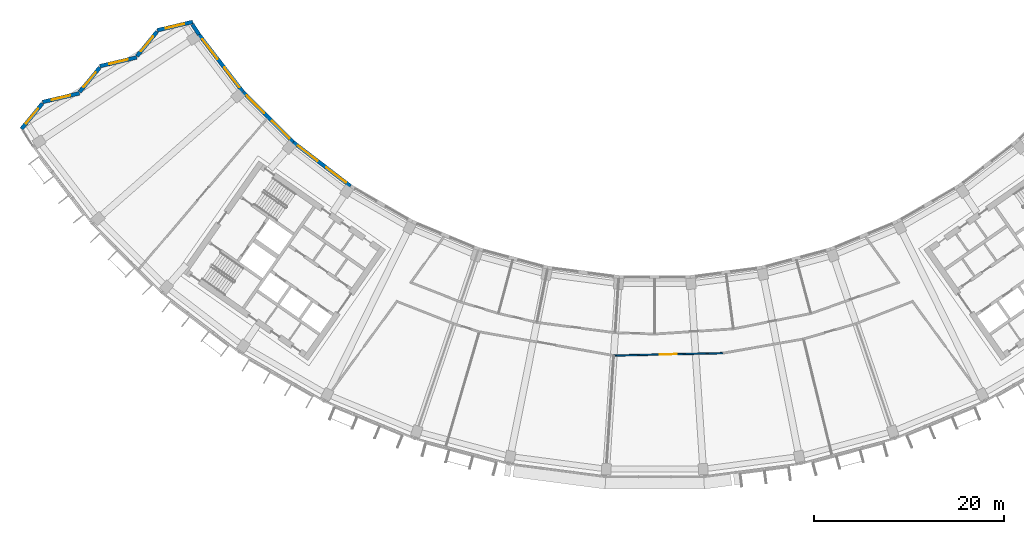
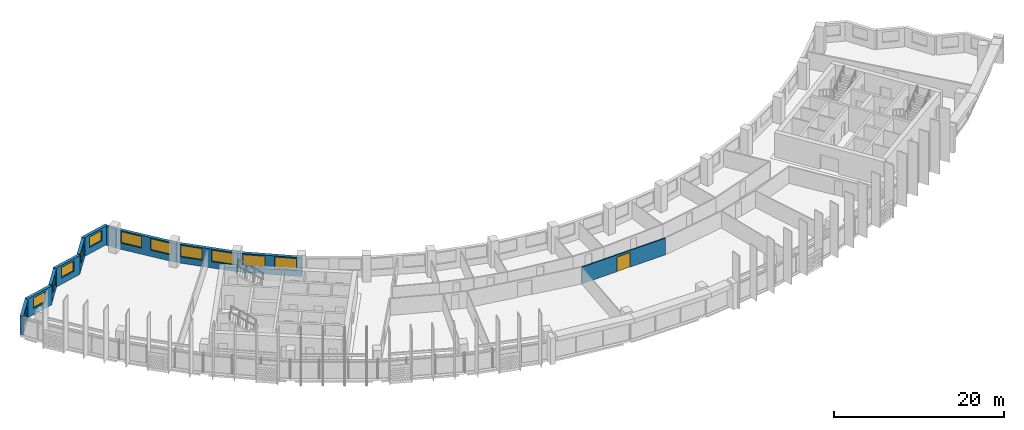
# One storey, part 5 of 28: 12 windows, 11 walls, 1 door, 13 openings.
"""IFC4 building model written with IfcOpenShell, lengths in metres."""

from ifc_helpers import new_model, si_unit, direction, frame, frame_2d, origin, place, context, subcontext, project, spatial, rectangle, extrude, material, layer, layer_set, type_object, element, fill, save


model = new_model("IFC4")

# Units and contexts
model_context = context("Model", 3, precision=1e-05, world=origin(), true_north=direction((0.0, 1.0)))
body_context = subcontext(model_context, "Body", "Model", "MODEL_VIEW")
ifc_project = project(units=[si_unit("LENGTHUNIT", "METRE"), si_unit("AREAUNIT", "SQUARE_METRE"), si_unit("VOLUMEUNIT", "CUBIC_METRE"), si_unit("PLANEANGLEUNIT", "RADIAN"), si_unit("MASSUNIT", "GRAM", prefix="KILO")], contexts=[model_context])

# Site, building, storey
site_placement = place(None, origin())
site = spatial("IfcSite", under=ifc_project, at=site_placement, CompositionType="ELEMENT")
building_placement = place(site_placement, origin())
building = spatial("IfcBuilding", under=site, at=building_placement, Name="Qamariyya Broadcast Tower", CompositionType="ELEMENT")
storey_placement = place(building_placement, frame((0.0, 0.0, 218.89990234375)))
storey = spatial("IfcBuildingStorey", under=building, at=storey_placement, Name="L52", CompositionType="ELEMENT", Elevation=218.89990234375)

# Wall, opening, door
ifc_material_1 = material(Name="Gypsum board partition")
ifc_layer_1 = layer(ifc_material_1, 0.14990234375)
ifc_layer_set_1 = layer_set([ifc_layer_1], Name="Corridor partition 150 EI 60")
wall_type_1 = type_object("IfcWallType", Name="Corridor partition 150 EI 60", PredefinedType="PARTITIONING", material=ifc_layer_set_1)
wall_1_placement = place(storey_placement, frame((7.15283203125, -65.4091796875, 0.0), z_axis=(0.0, 0.0, 1.0), x_axis=(-0.99976198393, -0.021816862473, 0.0)))
wall_1 = element("IfcWall", 1, at=wall_1_placement, inside=storey, type_object=wall_type_1, Name="Partition L52-017", PredefinedType="PARTITIONING", context=body_context, shape_type="SweptSolid", body=[
    extrude(rectangle(XDim=11.458984375, YDim=0.14990234375, at=frame_2d((5.7294921875, 0.0))), origin(), (0.0, 0.0, 1.0), 2.400146484375),
])
opening_1_placement = place(wall_1_placement, frame((4.82958984375, 0.0, 0.0)))
opening_1 = element("IfcOpeningElement", 2, at=opening_1_placement, cuts=wall_1, Name="Opening L52-D04", PredefinedType="OPENING", context=body_context, shape_type="SweptSolid", body=[
    extrude(rectangle(XDim=1.800048828125, YDim=2.10009765625, at=frame_2d((0.89990234375, 1.050048828125))), frame((0.0, 0.0849609375, 0.0), z_axis=(0.0, -1.0, 0.0), x_axis=(1.0, 0.0, 0.0)), (0.0, 0.0, 1.0), 0.169921875),
])
ifc_material_2 = material(Name="Timber fire door leaf", Category="wood")
door_type = type_object("IfcDoorType", Name="Double fire door 1800 x 2100 FD60", OperationType="NOTDEFINED", PredefinedType="DOOR", material=ifc_material_2)
door_placement = place(opening_1_placement, origin())
door = element("IfcDoor", 3, at=door_placement, inside=storey, type_object=door_type, Name="Door L52-D04", OperationType="DOUBLE_DOOR_SINGLE_SWING", OverallHeight=2.10009765625, OverallWidth=1.800048828125, PredefinedType="DOOR", context=body_context, shape_type="SweptSolid", body=[
    extrude(rectangle(XDim=1.800048828125, YDim=2.10009765625, at=frame_2d((0.89990234375, 1.050048828125))), frame((0.0, 0.02490234375, 0.0), z_axis=(0.0, -1.0, 0.0), x_axis=(1.0, 0.0, 0.0)), (0.0, 0.0, 1.0), 0.050048828125),
])
fill(opening_1, door)

# Wall, opening, window
ifc_material_3 = material(Name="Terracotta", Category="masonry")
ifc_layer_2 = layer(ifc_material_3, 0.39990234375)
ifc_layer_set_2 = layer_set([ifc_layer_2], Name="Terracotta clad wall 400")
wall_type_2 = type_object("IfcWallType", Name="Terracotta clad wall 400", PredefinedType="SOLIDWALL", material=ifc_layer_set_2)
wall_2_placement = place(storey_placement, frame((-48.518310546875, -30.612060546875, 0.0), z_axis=(0.0, 0.0, 1.0), x_axis=(-0.973147829995, -0.230181017843, 0.0)))
wall_2 = element("IfcWall", 4, at=wall_2_placement, inside=storey, type_object=wall_type_2, Name="e-wl-L52-capW0", PredefinedType="SOLIDWALL", context=body_context, shape_type="SweptSolid", body=[
    extrude(rectangle(XDim=3.83740234375, YDim=0.39990234375, at=frame_2d((1.918701171875, 0.0))), origin(), (0.0, 0.0, 1.0), 2.7001953125),
])
opening_2_placement = place(wall_2_placement, frame((0.918701171875, 0.0, 0.89990234375)))
opening_2 = element("IfcOpeningElement", 5, at=opening_2_placement, cuts=wall_2, Name="Opening W4", PredefinedType="OPENING", context=body_context, shape_type="SweptSolid", body=[
    extrude(rectangle(XDim=2.0, YDim=1.5, at=frame_2d((1.0, 0.75))), frame((0.0, 0.2099609375, 0.0), z_axis=(0.0, -1.0, 0.0), x_axis=(1.0, 0.0, 0.0)), (0.0, 0.0, 1.0), 0.419921875),
])
ifc_material_4 = material(Name="Clear low-e double glazed unit in aluminium frame", Category="aluminium")
window_type_1 = type_object("IfcWindowType", Name="Horn bay window 2000 x 1500", PartitioningType="SINGLE_PANEL", PredefinedType="WINDOW", material=ifc_material_4)
window_1_placement = place(opening_2_placement, origin())
window_1 = element("IfcWindow", 6, at=window_1_placement, inside=storey, type_object=window_type_1, Name="e-w-L52-capW0", OverallHeight=1.5, OverallWidth=2.0, PartitioningType="SINGLE_PANEL", PredefinedType="WINDOW", context=body_context, shape_type="SweptSolid", body=[
    extrude(rectangle(XDim=2.0, YDim=1.5, at=frame_2d((1.0, 0.75))), frame((0.0, 0.030029296875, 0.0), z_axis=(0.0, -1.0, 0.0), x_axis=(1.0, 0.0, 0.0)), (0.0, 0.0, 1.0), 0.06005859375),
])
fill(opening_2, window_1)

wall_3_placement = place(storey_placement, frame((-52.27294921875, -31.63525390625, 0.0), z_axis=(0.0, 0.0, 1.0), x_axis=(-0.633917157129, -0.773400955455, 0.0)))
wall_3 = element("IfcWall", 7, at=wall_3_placement, inside=storey, type_object=wall_type_2, Name="e-wl-L52-capW1", PredefinedType="SOLIDWALL", context=body_context, shape_type="SweptSolid", body=[
    extrude(rectangle(XDim=3.32568359375, YDim=0.39990234375, at=frame_2d((1.662841796875, 0.0))), origin(), (0.0, 0.0, 1.0), 2.7001953125),
])
opening_3_placement = place(wall_3_placement, frame((0.662841796875, 0.0, 0.89990234375)))
opening_3 = element("IfcOpeningElement", 8, at=opening_3_placement, cuts=wall_3, Name="Opening W4", PredefinedType="OPENING", context=body_context, shape_type="SweptSolid", body=[
    extrude(rectangle(XDim=2.0, YDim=1.5, at=frame_2d((1.0, 0.75))), frame((0.0, 0.2099609375, 0.0), z_axis=(0.0, -1.0, 0.0), x_axis=(1.0, 0.0, 0.0)), (0.0, 0.0, 1.0), 0.419921875),
])
window_2_placement = place(opening_3_placement, origin())
window_2 = element("IfcWindow", 9, at=window_2_placement, inside=storey, type_object=window_type_1, Name="e-w-L52-capW1", OverallHeight=1.5, OverallWidth=2.0, PartitioningType="SINGLE_PANEL", PredefinedType="WINDOW", context=body_context, shape_type="SweptSolid", body=[
    extrude(rectangle(XDim=2.0, YDim=1.5, at=frame_2d((1.0, 0.75))), frame((0.0, 0.030029296875, 0.0), z_axis=(0.0, -1.0, 0.0), x_axis=(1.0, 0.0, 0.0)), (0.0, 0.0, 1.0), 0.06005859375),
])
fill(opening_3, window_2)

wall_4_placement = place(storey_placement, frame((-54.401611328125, -34.34716796875, 0.0), z_axis=(0.0, 0.0, 1.0), x_axis=(-0.973116863977, -0.230311895139, 0.0)))
wall_4 = element("IfcWall", 10, at=wall_4_placement, inside=storey, type_object=wall_type_2, Name="e-wl-L52-capW2", PredefinedType="SOLIDWALL", context=body_context, shape_type="SweptSolid", body=[
    extrude(rectangle(XDim=3.977294921875, YDim=0.39990234375, at=frame_2d((1.98876953125, 0.0))), origin(), (0.0, 0.0, 1.0), 2.7001953125),
])
opening_4_placement = place(wall_4_placement, frame((0.988525390625, 0.0, 0.89990234375)))
opening_4 = element("IfcOpeningElement", 11, at=opening_4_placement, cuts=wall_4, Name="Opening W4", PredefinedType="OPENING", context=body_context, shape_type="SweptSolid", body=[
    extrude(rectangle(XDim=2.0, YDim=1.5, at=frame_2d((1.0, 0.75))), frame((0.0, 0.2099609375, 0.0), z_axis=(0.0, -1.0, 0.0), x_axis=(1.0, 0.0, 0.0)), (0.0, 0.0, 1.0), 0.419921875),
])
window_3_placement = place(opening_4_placement, origin())
window_3 = element("IfcWindow", 12, at=window_3_placement, inside=storey, type_object=window_type_1, Name="e-w-L52-capW2", OverallHeight=1.5, OverallWidth=2.0, PartitioningType="SINGLE_PANEL", PredefinedType="WINDOW", context=body_context, shape_type="SweptSolid", body=[
    extrude(rectangle(XDim=2.0, YDim=1.5, at=frame_2d((1.0, 0.75))), frame((0.0, 0.030029296875, 0.0), z_axis=(0.0, -1.0, 0.0), x_axis=(1.0, 0.0, 0.0)), (0.0, 0.0, 1.0), 0.06005859375),
])
fill(opening_4, window_3)

wall_5_placement = place(storey_placement, frame((-58.292236328125, -35.403076171875, 0.0), z_axis=(0.0, 0.0, 1.0), x_axis=(-0.63384946039, -0.773456438052, 0.0)))
wall_5 = element("IfcWall", 13, at=wall_5_placement, inside=storey, type_object=wall_type_2, Name="e-wl-L52-capW3", PredefinedType="SOLIDWALL", context=body_context, shape_type="SweptSolid", body=[
    extrude(rectangle(XDim=3.324462890625, YDim=0.39990234375, at=frame_2d((1.662109375, 0.0))), origin(), (0.0, 0.0, 1.0), 2.7001953125),
])
opening_5_placement = place(wall_5_placement, frame((0.662353515625, 0.0, 0.89990234375)))
opening_5 = element("IfcOpeningElement", 14, at=opening_5_placement, cuts=wall_5, Name="Opening W4", PredefinedType="OPENING", context=body_context, shape_type="SweptSolid", body=[
    extrude(rectangle(XDim=2.0, YDim=1.5, at=frame_2d((1.0, 0.75))), frame((0.0, 0.2099609375, 0.0), z_axis=(0.0, -1.0, 0.0), x_axis=(1.0, 0.0, 0.0)), (0.0, 0.0, 1.0), 0.419921875),
])
window_4_placement = place(opening_5_placement, origin())
window_4 = element("IfcWindow", 15, at=window_4_placement, inside=storey, type_object=window_type_1, Name="e-w-L52-capW3", OverallHeight=1.5, OverallWidth=2.0, PartitioningType="SINGLE_PANEL", PredefinedType="WINDOW", context=body_context, shape_type="SweptSolid", body=[
    extrude(rectangle(XDim=2.0, YDim=1.5, at=frame_2d((1.0, 0.75))), frame((0.0, 0.030029296875, 0.0), z_axis=(0.0, -1.0, 0.0), x_axis=(1.0, 0.0, 0.0)), (0.0, 0.0, 1.0), 0.06005859375),
])
fill(opening_5, window_4)

wall_6_placement = place(storey_placement, frame((-60.419677734375, -38.1142578125, 0.0), z_axis=(0.0, 0.0, 1.0), x_axis=(-0.973102375272, -0.230373104419, 0.0)))
wall_6 = element("IfcWall", 16, at=wall_6_placement, inside=storey, type_object=wall_type_2, Name="e-wl-L52-capW4", PredefinedType="SOLIDWALL", context=body_context, shape_type="SweptSolid", body=[
    extrude(rectangle(XDim=3.978271484375, YDim=0.39990234375, at=frame_2d((1.9892578125, 0.0))), origin(), (0.0, 0.0, 1.0), 2.7001953125),
])
opening_6_placement = place(wall_6_placement, frame((0.989013671875, 0.0, 0.89990234375)))
opening_6 = element("IfcOpeningElement", 17, at=opening_6_placement, cuts=wall_6, Name="Opening W4", PredefinedType="OPENING", context=body_context, shape_type="SweptSolid", body=[
    extrude(rectangle(XDim=2.0, YDim=1.5, at=frame_2d((1.0, 0.75))), frame((0.0, 0.2099609375, 0.0), z_axis=(0.0, -1.0, 0.0), x_axis=(1.0, 0.0, 0.0)), (0.0, 0.0, 1.0), 0.419921875),
])
window_5_placement = place(opening_6_placement, origin())
window_5 = element("IfcWindow", 18, at=window_5_placement, inside=storey, type_object=window_type_1, Name="e-w-L52-capW4", OverallHeight=1.5, OverallWidth=2.0, PartitioningType="SINGLE_PANEL", PredefinedType="WINDOW", context=body_context, shape_type="SweptSolid", body=[
    extrude(rectangle(XDim=2.0, YDim=1.5, at=frame_2d((1.0, 0.75))), frame((0.0, 0.030029296875, 0.0), z_axis=(0.0, -1.0, 0.0), x_axis=(1.0, 0.0, 0.0)), (0.0, 0.0, 1.0), 0.06005859375),
])
fill(opening_6, window_5)

wall_7_placement = place(storey_placement, frame((-64.311279296875, -39.170654296875, 0.0), z_axis=(0.0, 0.0, 1.0), x_axis=(-0.63375834549, -0.773531097967, 0.0)))
wall_7 = element("IfcWall", 19, at=wall_7_placement, inside=storey, type_object=wall_type_2, Name="e-wl-L52-capW5", PredefinedType="SOLIDWALL", context=body_context, shape_type="SweptSolid", body=[
    extrude(rectangle(XDim=3.472412109375, YDim=0.39990234375, at=frame_2d((1.736328125, 0.0))), origin(), (0.0, 0.0, 1.0), 2.7001953125),
])
opening_7_placement = place(wall_7_placement, frame((0.736083984375, 0.0, 0.89990234375)))
opening_7 = element("IfcOpeningElement", 20, at=opening_7_placement, cuts=wall_7, Name="Opening W4", PredefinedType="OPENING", context=body_context, shape_type="SweptSolid", body=[
    extrude(rectangle(XDim=2.0, YDim=1.5, at=frame_2d((1.0, 0.75))), frame((0.0, 0.2099609375, 0.0), z_axis=(0.0, -1.0, 0.0), x_axis=(1.0, 0.0, 0.0)), (0.0, 0.0, 1.0), 0.419921875),
])
window_6_placement = place(opening_7_placement, origin())
window_6 = element("IfcWindow", 21, at=window_6_placement, inside=storey, type_object=window_type_1, Name="e-w-L52-capW5", OverallHeight=1.5, OverallWidth=2.0, PartitioningType="SINGLE_PANEL", PredefinedType="WINDOW", context=body_context, shape_type="SweptSolid", body=[
    extrude(rectangle(XDim=2.0, YDim=1.5, at=frame_2d((1.0, 0.75))), frame((0.0, 0.030029296875, 0.0), z_axis=(0.0, -1.0, 0.0), x_axis=(1.0, 0.0, 0.0)), (0.0, 0.0, 1.0), 0.06005859375),
])
fill(opening_7, window_6)

# Wall
wall_8_placement = place(storey_placement, frame((-47.865234375, -31.951416015625, 0.0), z_axis=(0.0, 0.0, 1.0), x_axis=(-0.543039582814, 0.839707098634, 0.0)))
element("IfcWall", 22, at=wall_8_placement, inside=storey, type_object=wall_type_2, Name="e-wl-L52-in00", PredefinedType="SOLIDWALL", context=body_context, shape_type="SweptSolid", body=[
    extrude(rectangle(XDim=1.291259765625, YDim=0.39990234375, at=frame_2d((0.6455078125, 0.0))), origin(), (0.0, 0.0, 1.0), 2.7001953125),
])

# Wall, openings, windows
wall_9_placement = place(storey_placement, frame((-43.25341796875, -37.965576171875, 0.0), z_axis=(0.0, 0.0, 1.0), x_axis=(-0.608749332068, 0.793362622454, 0.0)))
wall_9 = element("IfcWall", 23, at=wall_9_placement, inside=storey, type_object=wall_type_2, Name="e-wl-L52-in10", PredefinedType="SOLIDWALL", context=body_context, shape_type="SweptSolid", body=[
    extrude(rectangle(XDim=7.56298828125, YDim=0.39990234375, at=frame_2d((3.781494140625, 0.0))), origin(), (0.0, 0.0, 1.0), 2.7001953125),
])
opening_8_placement = place(wall_9_placement, frame((4.364501953125, 0.0, 0.89990234375)))
opening_8 = element("IfcOpeningElement", 24, at=opening_8_placement, cuts=wall_9, Name="Opening W1", PredefinedType="OPENING", context=body_context, shape_type="SweptSolid", body=[
    extrude(rectangle(XDim=2.60009765625, YDim=1.64990234375, at=frame_2d((1.300048828125, 0.824951171875))), frame((0.0, 0.2099609375, 0.0), z_axis=(0.0, -1.0, 0.0), x_axis=(1.0, 0.0, 0.0)), (0.0, 0.0, 1.0), 0.419921875),
])
opening_9_placement = place(wall_9_placement, frame((0.613525390625, 0.0, 0.89990234375)))
opening_9 = element("IfcOpeningElement", 25, at=opening_9_placement, cuts=wall_9, Name="Opening W1", PredefinedType="OPENING", context=body_context, shape_type="SweptSolid", body=[
    extrude(rectangle(XDim=2.60009765625, YDim=1.64990234375, at=frame_2d((1.300048828125, 0.824951171875))), frame((0.0, 0.2099609375, 0.0), z_axis=(0.0, -1.0, 0.0), x_axis=(1.0, 0.0, 0.0)), (0.0, 0.0, 1.0), 0.419921875),
])
window_type_2 = type_object("IfcWindowType", Name="Ribbon window 2600 x 1650", PartitioningType="SINGLE_PANEL", PredefinedType="WINDOW", material=ifc_material_4)
window_7_placement = place(opening_8_placement, origin())
window_7 = element("IfcWindow", 26, at=window_7_placement, inside=storey, type_object=window_type_2, Name="e-w-L52-in01-0", OverallHeight=1.64990234375, OverallWidth=2.60009765625, PartitioningType="SINGLE_PANEL", PredefinedType="WINDOW", context=body_context, shape_type="SweptSolid", body=[
    extrude(rectangle(XDim=2.60009765625, YDim=1.64990234375, at=frame_2d((1.300048828125, 0.824951171875))), frame((0.0, 0.030029296875, 0.0), z_axis=(0.0, -1.0, 0.0), x_axis=(1.0, 0.0, 0.0)), (0.0, 0.0, 1.0), 0.06005859375),
])
fill(opening_8, window_7)
window_8_placement = place(opening_9_placement, origin())
window_8 = element("IfcWindow", 27, at=window_8_placement, inside=storey, type_object=window_type_2, Name="e-w-L52-in01-1", OverallHeight=1.64990234375, OverallWidth=2.60009765625, PartitioningType="SINGLE_PANEL", PredefinedType="WINDOW", context=body_context, shape_type="SweptSolid", body=[
    extrude(rectangle(XDim=2.60009765625, YDim=1.64990234375, at=frame_2d((1.300048828125, 0.824951171875))), frame((0.0, 0.030029296875, 0.0), z_axis=(0.0, -1.0, 0.0), x_axis=(1.0, 0.0, 0.0)), (0.0, 0.0, 1.0), 0.06005859375),
])
fill(opening_9, window_8)

wall_10_placement = place(storey_placement, frame((-37.9814453125, -43.23291015625, 0.0), z_axis=(0.0, 0.0, 1.0), x_axis=(-0.707106781187, 0.707106781187, 0.0)))
wall_10 = element("IfcWall", 28, at=wall_10_placement, inside=storey, type_object=wall_type_2, Name="e-wl-L52-in20", PredefinedType="SOLIDWALL", context=body_context, shape_type="SweptSolid", body=[
    extrude(rectangle(XDim=7.4267578125, YDim=0.39990234375, at=frame_2d((3.71337890625, 0.0))), origin(), (0.0, 0.0, 1.0), 2.7001953125),
])
opening_10_placement = place(wall_10_placement, frame((4.28857421875, 0.0, 0.89990234375)))
opening_10 = element("IfcOpeningElement", 29, at=opening_10_placement, cuts=wall_10, Name="Opening W1", PredefinedType="OPENING", context=body_context, shape_type="SweptSolid", body=[
    extrude(rectangle(XDim=2.60009765625, YDim=1.64990234375, at=frame_2d((1.300048828125, 0.824951171875))), frame((0.0, 0.2099609375, 0.0), z_axis=(0.0, -1.0, 0.0), x_axis=(1.0, 0.0, 0.0)), (0.0, 0.0, 1.0), 0.419921875),
])
opening_11_placement = place(wall_10_placement, frame((0.537841796875, 0.0, 0.89990234375)))
opening_11 = element("IfcOpeningElement", 30, at=opening_11_placement, cuts=wall_10, Name="Opening W1", PredefinedType="OPENING", context=body_context, shape_type="SweptSolid", body=[
    extrude(rectangle(XDim=2.60009765625, YDim=1.64990234375, at=frame_2d((1.300048828125, 0.824951171875))), frame((0.0, 0.2099609375, 0.0), z_axis=(0.0, -1.0, 0.0), x_axis=(1.0, 0.0, 0.0)), (0.0, 0.0, 1.0), 0.419921875),
])
window_9_placement = place(opening_10_placement, origin())
window_9 = element("IfcWindow", 31, at=window_9_placement, inside=storey, type_object=window_type_2, Name="e-w-L52-in02-0", OverallHeight=1.64990234375, OverallWidth=2.60009765625, PartitioningType="SINGLE_PANEL", PredefinedType="WINDOW", context=body_context, shape_type="SweptSolid", body=[
    extrude(rectangle(XDim=2.60009765625, YDim=1.64990234375, at=frame_2d((1.300048828125, 0.824951171875))), frame((0.0, 0.030029296875, 0.0), z_axis=(0.0, -1.0, 0.0), x_axis=(1.0, 0.0, 0.0)), (0.0, 0.0, 1.0), 0.06005859375),
])
fill(opening_10, window_9)
window_10_placement = place(opening_11_placement, origin())
window_10 = element("IfcWindow", 32, at=window_10_placement, inside=storey, type_object=window_type_2, Name="e-w-L52-in02-1", OverallHeight=1.64990234375, OverallWidth=2.60009765625, PartitioningType="SINGLE_PANEL", PredefinedType="WINDOW", context=body_context, shape_type="SweptSolid", body=[
    extrude(rectangle(XDim=2.60009765625, YDim=1.64990234375, at=frame_2d((1.300048828125, 0.824951171875))), frame((0.0, 0.030029296875, 0.0), z_axis=(0.0, -1.0, 0.0), x_axis=(1.0, 0.0, 0.0)), (0.0, 0.0, 1.0), 0.06005859375),
])
fill(opening_11, window_10)

wall_11_placement = place(storey_placement, frame((-31.953369140625, -47.86669921875, 0.0), z_axis=(0.0, 0.0, 1.0), x_axis=(-0.793356365089, 0.608757486995, 0.0)))
wall_11 = element("IfcWall", 33, at=wall_11_placement, inside=storey, type_object=wall_type_2, Name="e-wl-L52-in30", PredefinedType="SOLIDWALL", context=body_context, shape_type="SweptSolid", body=[
    extrude(rectangle(XDim=7.578125, YDim=0.39990234375, at=frame_2d((3.7890625, 0.0))), origin(), (0.0, 0.0, 1.0), 2.7001953125),
])
opening_12_placement = place(wall_11_placement, frame((4.364501953125, 0.0, 0.89990234375)))
opening_12 = element("IfcOpeningElement", 34, at=opening_12_placement, cuts=wall_11, Name="Opening W1", PredefinedType="OPENING", context=body_context, shape_type="SweptSolid", body=[
    extrude(rectangle(XDim=2.60009765625, YDim=1.64990234375, at=frame_2d((1.300048828125, 0.824951171875))), frame((0.0, 0.2099609375, 0.0), z_axis=(0.0, -1.0, 0.0), x_axis=(1.0, 0.0, 0.0)), (0.0, 0.0, 1.0), 0.419921875),
])
opening_13_placement = place(wall_11_placement, frame((0.613525390625, 0.0, 0.89990234375)))
opening_13 = element("IfcOpeningElement", 35, at=opening_13_placement, cuts=wall_11, Name="Opening W1", PredefinedType="OPENING", context=body_context, shape_type="SweptSolid", body=[
    extrude(rectangle(XDim=2.60009765625, YDim=1.64990234375, at=frame_2d((1.300048828125, 0.824951171875))), frame((0.0, 0.2099609375, 0.0), z_axis=(0.0, -1.0, 0.0), x_axis=(1.0, 0.0, 0.0)), (0.0, 0.0, 1.0), 0.419921875),
])
window_11_placement = place(opening_12_placement, origin())
window_11 = element("IfcWindow", 36, at=window_11_placement, inside=storey, type_object=window_type_2, Name="e-w-L52-in03-0", OverallHeight=1.64990234375, OverallWidth=2.60009765625, PartitioningType="SINGLE_PANEL", PredefinedType="WINDOW", context=body_context, shape_type="SweptSolid", body=[
    extrude(rectangle(XDim=2.60009765625, YDim=1.64990234375, at=frame_2d((1.300048828125, 0.824951171875))), frame((0.0, 0.030029296875, 0.0), z_axis=(0.0, -1.0, 0.0), x_axis=(1.0, 0.0, 0.0)), (0.0, 0.0, 1.0), 0.06005859375),
])
fill(opening_12, window_11)
window_12_placement = place(opening_13_placement, origin())
window_12 = element("IfcWindow", 37, at=window_12_placement, inside=storey, type_object=window_type_2, Name="e-w-L52-in03-1", OverallHeight=1.64990234375, OverallWidth=2.60009765625, PartitioningType="SINGLE_PANEL", PredefinedType="WINDOW", context=body_context, shape_type="SweptSolid", body=[
    extrude(rectangle(XDim=2.60009765625, YDim=1.64990234375, at=frame_2d((1.300048828125, 0.824951171875))), frame((0.0, 0.030029296875, 0.0), z_axis=(0.0, -1.0, 0.0), x_axis=(1.0, 0.0, 0.0)), (0.0, 0.0, 1.0), 0.06005859375),
])
fill(opening_13, window_12)

save(model, "model.ifc")
